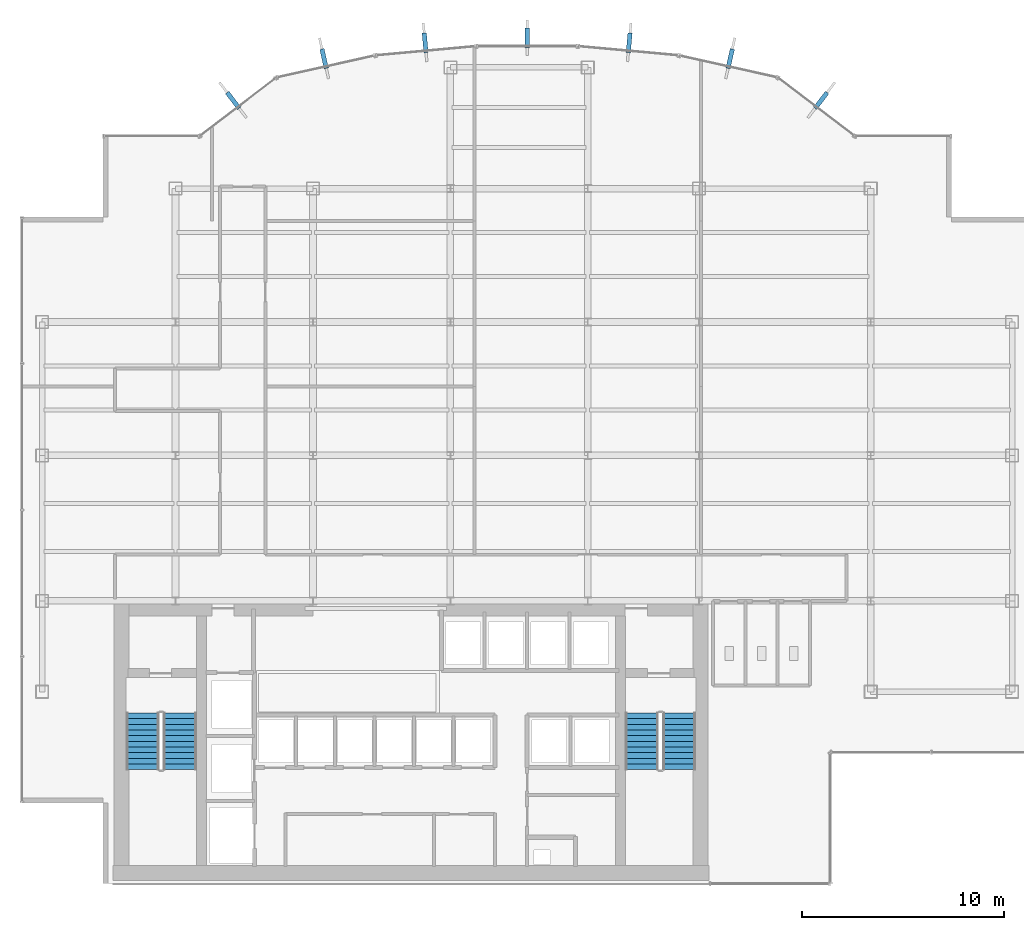
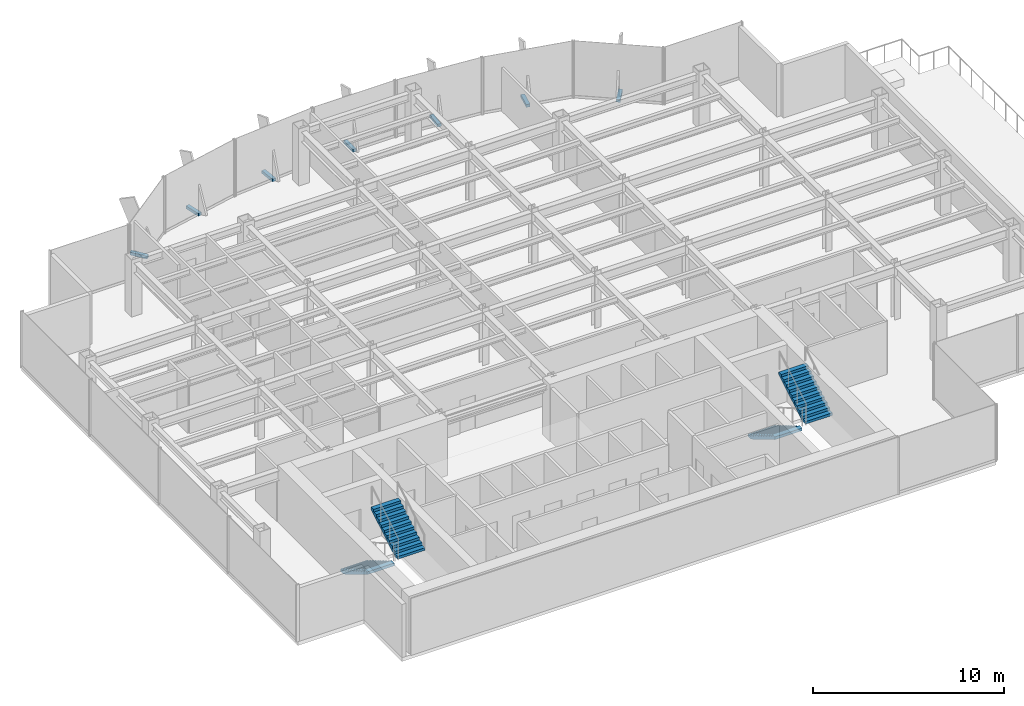
# One storey, part 20 of 23: 7 discrete accessories, 4 stair flights, 2 elements without a shape of their own.
"""IFC4 building model written with IfcOpenShell, lengths in metres."""

from ifc_helpers import new_model, si_unit, derived_unit, direction, frame, origin, origin_2d, place, context, subcontext, project, spatial, polyline, rectangle, outline, extrude, source, transform, mapped, material, type_object, element, aggregate, save


model = new_model("IFC4")

# Units and contexts
model_context = context("Model", 3, precision=1e-05, world=origin(), true_north=direction((0.0, 1.0)))
body_context = subcontext(model_context, "Body", "Model", "MODEL_VIEW")
ifc_project = project(units=[si_unit("LENGTHUNIT", "METRE"), si_unit("AREAUNIT", "SQUARE_METRE"), si_unit("VOLUMEUNIT", "CUBIC_METRE"), si_unit("PLANEANGLEUNIT", "RADIAN"), si_unit("MASSUNIT", "GRAM", prefix="KILO"), derived_unit("THERMALTRANSMITTANCEUNIT", [(si_unit("POWERUNIT", "WATT"), 1), (si_unit("LENGTHUNIT", "METRE"), -2), (si_unit("THERMODYNAMICTEMPERATUREUNIT", "KELVIN"), -1)])], contexts=[model_context])

# Site, building, storey
site_placement = place(None, origin())
site = spatial("IfcSite", under=ifc_project, at=site_placement, CompositionType="ELEMENT")
building_placement = place(site_placement, origin())
building = spatial("IfcBuilding", under=site, at=building_placement, Name="Skarnbrae Concourse Arena and Tower", CompositionType="ELEMENT")
storey_placement = place(building_placement, frame((0.0, 0.0, 140.60009765625)))
storey = spatial("IfcBuildingStorey", under=building, at=storey_placement, Name="L35", CompositionType="ELEMENT", Elevation=140.60009765625)

# Stair, stair flights
ifc_material_1 = material(Name="Concrete 40 MPa (C40/50)", Category="concrete")
stair_type = type_object("IfcStairType", Name="STAIR-DOGLEG-1650", PredefinedType="HALF_TURN_STAIR", material=ifc_material_1)
stair_1_placement = place(storey_placement, origin())
stair_1 = element("IfcStair", 1, at=stair_1_placement, inside=storey, type_object=stair_type, Name="L35 Protected Exit Stair ST-1", PredefinedType="HALF_TURN_STAIR")
stair_flight_type = type_object("IfcStairFlightType", Name="FLIGHT-STRAIGHT-1650", PredefinedType="STRAIGHT", material=ifc_material_1)
shared_shape_1 = source(origin(), body_context, "Body", "SweptSolid", [
    extrude(outline(polyline([(0.0, 0.0), (0.0, 0.166015625), (0.280029296875, 0.166015625), (0.280029296875, 0.331787109375), (0.56005859375, 0.331787109375), (0.56005859375, 0.497802734375), (0.840087890625, 0.497802734375), (0.840087890625, 0.66357421875), (1.1201171875, 0.66357421875), (1.1201171875, 0.82958984375), (1.39990234375, 0.82958984375), (1.39990234375, 0.995361328125), (1.679931640625, 0.995361328125), (1.679931640625, 1.161376953125), (1.9599609375, 1.161376953125), (1.9599609375, 1.327392578125), (2.239990234375, 1.327392578125), (2.239990234375, 1.4931640625), (2.52001953125, 1.4931640625), (2.52001953125, 1.6591796875), (2.800048828125, 1.6591796875), (2.800048828125, 1.824951171875), (2.800048828125, 1.48486328125), (0.2939453125, 0.0), (0.0, 0.0)])), frame((0.0, 0.824951171875, 0.0), z_axis=(0.0, -1.0, 0.0), x_axis=(1.0, 0.0, 0.0)), (0.0, 0.0, 1.0), 1.64990234375),
])
stair_flight_1_placement = place(storey_placement, frame((5.97509765625, 8.449951171875, 0.0), z_axis=(0.0, 0.0, 1.0), x_axis=(0.0, -1.0, 0.0)))
stair_flight_1 = element("IfcStairFlight", 2, at=stair_flight_1_placement, type_object=stair_flight_type, Name="ST-1 flight 1", NumberOfRisers=11, NumberOfTreads=10, PredefinedType="STRAIGHT", RiserHeight=0.165909091, TreadLength=0.28, context=body_context, shape_type="MappedRepresentation", body=[
    mapped(shared_shape_1, transform((0.0, 0.0, 0.0))),
])
stair_flight_2_placement = place(storey_placement, frame((7.824951171875, 5.64990234375, 1.824951171875), z_axis=(0.0, 0.0, 1.0), x_axis=(0.0, 1.0, 0.0)))
stair_flight_2 = element("IfcStairFlight", 3, at=stair_flight_2_placement, type_object=stair_flight_type, Name="ST-1 flight 2", NumberOfRisers=11, NumberOfTreads=10, PredefinedType="STRAIGHT", RiserHeight=0.165909091, TreadLength=0.28, context=body_context, shape_type="MappedRepresentation", body=[
    mapped(shared_shape_1, transform((0.0, 0.0, 0.0))),
])
aggregate(stair_1, [stair_flight_1, stair_flight_2])

stair_2_placement = place(storey_placement, origin())
stair_2 = element("IfcStair", 4, at=stair_2_placement, inside=storey, type_object=stair_type, Name="L35 Protected Exit Stair ST-2", PredefinedType="HALF_TURN_STAIR")
stair_flight_3_placement = place(storey_placement, frame((30.675048828125, 8.449951171875, 0.0), z_axis=(0.0, 0.0, 1.0), x_axis=(0.0, -1.0, 0.0)))
stair_flight_3 = element("IfcStairFlight", 5, at=stair_flight_3_placement, type_object=stair_flight_type, Name="ST-2 flight 1", NumberOfRisers=11, NumberOfTreads=10, PredefinedType="STRAIGHT", RiserHeight=0.165909091, TreadLength=0.28, context=body_context, shape_type="MappedRepresentation", body=[
    mapped(shared_shape_1, transform((0.0, 0.0, 0.0))),
])
stair_flight_4_placement = place(storey_placement, frame((32.52490234375, 5.64990234375, 1.824951171875), z_axis=(0.0, 0.0, 1.0), x_axis=(0.0, 1.0, 0.0)))
stair_flight_4 = element("IfcStairFlight", 6, at=stair_flight_4_placement, type_object=stair_flight_type, Name="ST-2 flight 2", NumberOfRisers=11, NumberOfTreads=10, PredefinedType="STRAIGHT", RiserHeight=0.165909091, TreadLength=0.28, context=body_context, shape_type="MappedRepresentation", body=[
    mapped(shared_shape_1, transform((0.0, 0.0, 0.0))),
])
aggregate(stair_2, [stair_flight_3, stair_flight_4])

# Discrete accessories
ifc_material_2 = material(Name="Bronze anodised aluminium 6063-T6", Category="aluminium")
discrete_accessory_type = type_object("IfcDiscreteAccessoryType", Name="ACC-FIN-BRACKET", PredefinedType="BRACKET", material=ifc_material_2)
shared_shape_2 = source(origin(), body_context, "Body", "SweptSolid", [
    extrude(rectangle(XDim=0.219970703125, YDim=0.97998046875, at=origin_2d()), origin(), (0.0, 0.0, 1.0), 0.179931640625),
])
for number, where, z_axis, x_axis, name in (
    (7, (39.54736328125, 38.764404296875, -0.0302734375), (0.0, 0.0, 1.0), (0.794954941871, -0.606668476513, 0.0), "L35 Bronze fin foot support bracket 08"),
    (8, (35.048095703125, 40.830078125, -0.0302734375), (0.0, 0.0, 1.0), (0.975935794812, -0.218058075762, 0.0), "L35 Bronze fin foot support bracket 09"),
    (9, (30.04833984375, 41.614501953125, -0.0302734375), (0.0, 0.0, 1.0), (0.99581928833, -0.091345196863, 0.0), "L35 Bronze fin foot support bracket 10"),
    (10, (25.0, 41.845703125, -0.0302734375), (0.0, 0.0, 1.0), (1.0, 0.0, 0.0), "L35 Bronze fin foot support bracket 11"),
    (11, (19.95166015625, 41.614501953125, -0.0302734375), (0.0, 0.0, 1.0), (0.99581928833, 0.091345196863, 0.0), "L35 Bronze fin foot support bracket 12"),
    (12, (14.951904296875, 40.830078125, -0.0302734375), (0.0, 0.0, 1.0), (0.975935794812, 0.218058075762, 0.0), "L35 Bronze fin foot support bracket 13"),
    (13, (10.45263671875, 38.764404296875, -0.0302734375), (0.0, 0.0, 1.0), (0.794954941871, 0.606668476513, 0.0), "L35 Bronze fin foot support bracket 14"),
):
    element("IfcDiscreteAccessory", number, at=place(storey_placement, frame(where, z_axis=z_axis, x_axis=x_axis)), inside=storey, type_object=discrete_accessory_type, Name=name, PredefinedType="BRACKET", context=body_context, shape_type="MappedRepresentation", body=[
        mapped(shared_shape_2, transform((0.0, 0.0, 0.0))),
    ])

save(model, "model.ifc")
